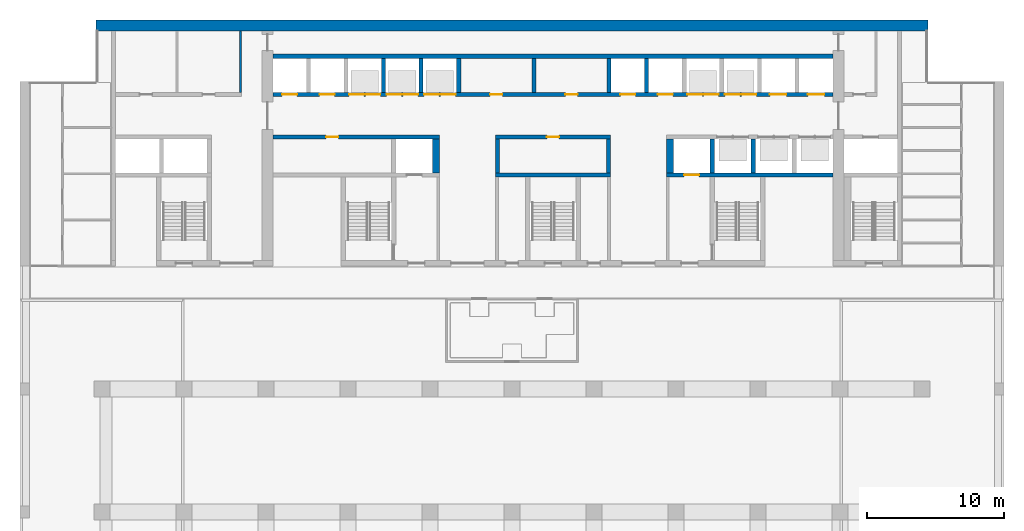
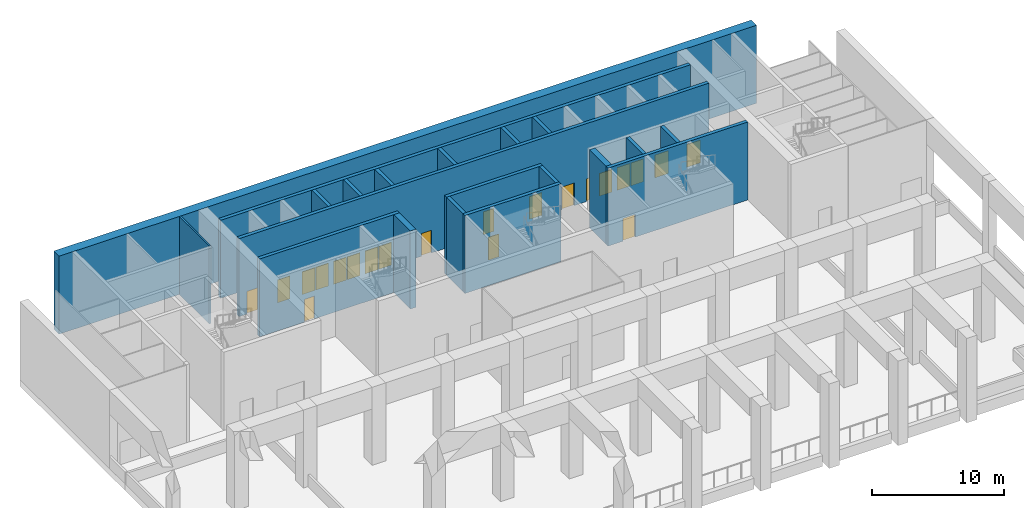
# One storey, part 4 of 10: 21 doors, 20 walls, 21 openings.
"""IFC4 building model written with IfcOpenShell, lengths in metres."""

from ifc_helpers import new_model, si_unit, direction, frame, frame_2d, origin, place, context, subcontext, project, spatial, rectangle, extrude, material, layer, layer_set, type_object, element, fill, save


model = new_model("IFC4")

# Units and contexts
model_context = context("Model", 3, precision=1e-05, world=origin(), true_north=direction((0.0, 1.0)))
body_context = subcontext(model_context, "Body", "Model", "MODEL_VIEW")
ifc_project = project(units=[si_unit("LENGTHUNIT", "METRE"), si_unit("AREAUNIT", "SQUARE_METRE"), si_unit("VOLUMEUNIT", "CUBIC_METRE"), si_unit("PLANEANGLEUNIT", "RADIAN"), si_unit("MASSUNIT", "GRAM", prefix="KILO")], contexts=[model_context])

# Site, building, storey
site_placement = place(None, origin())
site = spatial("IfcSite", under=ifc_project, at=site_placement, CompositionType="ELEMENT")
building_placement = place(site_placement, origin())
building = spatial("IfcBuilding", under=site, at=building_placement, Name="Calvaro Tower", CompositionType="ELEMENT")
storey_placement = place(building_placement, frame((0.0, 0.0, 158.75)))
storey = spatial("IfcBuildingStorey", under=building, at=storey_placement, Name="L40", CompositionType="ELEMENT", Elevation=158.75)

# Walls
ifc_material_1 = material(Name="Blockwork partition", Category="masonry")
ifc_layer_1 = layer(ifc_material_1, 0.14990234375)
ifc_layer_set_1 = layer_set([ifc_layer_1], Name="Blockwork partition")
wall_type_1 = type_object("IfcWallType", Name="Core partition 150 REI 120", PredefinedType="PARTITIONING", material=ifc_layer_set_1)
wall_1_placement = place(storey_placement, frame((16.125, 40.699951171875, 0.0), z_axis=(0.0, 0.0, 1.0), x_axis=(0.0, 1.0, 0.0)))
element("IfcWall", 1, at=wall_1_placement, inside=storey, type_object=wall_type_1, Name="Core partition", PredefinedType="PARTITIONING", context=body_context, shape_type="SweptSolid", body=[
    extrude(rectangle(XDim=4.5, YDim=0.14990234375, at=frame_2d((2.25, 0.0))), origin(), (0.0, 0.0, 1.0), 7.199951171875),
])
ifc_material_2 = material(Name="Blockwork partition", Category="masonry")
ifc_layer_2 = layer(ifc_material_2, 0.300048828125)
ifc_layer_set_2 = layer_set([ifc_layer_2], Name="Blockwork partition")
wall_type_2 = type_object("IfcWallType", Name="Core partition 300 REI 120", PredefinedType="PARTITIONING", material=ifc_layer_set_2)
wall_2_placement = place(storey_placement, frame((37.60009765625, 40.699951171875, 0.0), z_axis=(0.0, 0.0, 1.0), x_axis=(0.0, 1.0, 0.0)))
element("IfcWall", 2, at=wall_2_placement, inside=storey, type_object=wall_type_2, Name="Core partition", PredefinedType="PARTITIONING", context=body_context, shape_type="SweptSolid", body=[
    extrude(rectangle(XDim=2.5, YDim=0.300048828125, at=frame_2d((1.25, 0.0))), origin(), (0.0, 0.0, 1.0), 7.199951171875),
])
ifc_material_3 = material(Name="Concrete C60/75", Category="concrete")
ifc_layer_3 = layer(ifc_material_3, 0.300048828125)
ifc_layer_set_3 = layer_set([ifc_layer_3], Name="Concrete C60/75")
wall_type_3 = type_object("IfcWallType", Name="Core wall C60/75 300", PredefinedType="SHEAR", material=ifc_layer_set_3)
wall_3_placement = place(storey_placement, frame((34.800048828125, 34.64990234375, 0.0), z_axis=(0.0, 0.0, 1.0), x_axis=(1.0, 0.0, 0.0)))
element("IfcWall", 3, at=wall_3_placement, inside=storey, type_object=wall_type_3, Name="Core wall, lift shaft", PredefinedType="SHEAR", context=body_context, shape_type="SweptSolid", body=[
    extrude(rectangle(XDim=8.39990234375, YDim=0.300048828125, at=frame_2d((4.199951171875, 0.0))), origin(), (0.0, 0.0, 1.0), 7.199951171875),
])

# Wall, opening, door
wall_4_placement = place(storey_placement, frame((47.300048828125, 34.64990234375, 0.0), z_axis=(0.0, 0.0, 1.0), x_axis=(1.0, 0.0, 0.0)))
wall_4 = element("IfcWall", 4, at=wall_4_placement, inside=storey, type_object=wall_type_3, Name="Core wall, lift shaft", PredefinedType="SHEAR", context=body_context, shape_type="SweptSolid", body=[
    extrude(rectangle(XDim=12.199951171875, YDim=0.300048828125, at=frame_2d((6.10009765625, 0.0))), origin(), (0.0, 0.0, 1.0), 7.199951171875),
])
opening_1_placement = place(wall_4_placement, frame((1.300048828125, 0.0, 0.0)))
opening_1 = element("IfcOpeningElement", 5, at=opening_1_placement, cuts=wall_4, Name="Opening FF2", PredefinedType="OPENING", context=body_context, shape_type="SweptSolid", body=[
    extrude(rectangle(XDim=1.10009765625, YDim=2.10009765625, at=frame_2d((0.550048828125, 1.050048828125))), frame((0.0, 0.159912109375, 0.0), z_axis=(0.0, -1.0, 0.0), x_axis=(1.0, 0.0, 0.0)), (0.0, 0.0, 1.0), 0.320068359375),
])
ifc_material_4 = material(Name="Stainless steel", Category="steel")
door_type_1 = type_object("IfcDoorType", Name="Landing door 1100 E 60", OperationType="SLIDING_TO_LEFT", PredefinedType="DOOR", material=ifc_material_4)
door_1_placement = place(opening_1_placement, origin())
door_1 = element("IfcDoor", 6, at=door_1_placement, inside=storey, type_object=door_type_1, Name="Landing door FF2", OperationType="SLIDING_TO_LEFT", OverallHeight=2.10009765625, OverallWidth=1.10009765625, PredefinedType="DOOR", context=body_context, shape_type="SweptSolid", body=[
    extrude(rectangle(XDim=1.10009765625, YDim=2.10009765625, at=frame_2d((0.550048828125, 1.050048828125))), frame((0.0, 0.02490234375, 0.0), z_axis=(0.0, -1.0, 0.0), x_axis=(1.0, 0.0, 0.0)), (0.0, 0.0, 1.0), 0.050048828125),
])
fill(opening_1, door_1)

wall_5_placement = place(storey_placement, frame((30.699951171875, 37.449951171875, 0.0), z_axis=(0.0, 0.0, 1.0), x_axis=(-1.0, 0.0, 0.0)))
wall_5 = element("IfcWall", 7, at=wall_5_placement, inside=storey, type_object=wall_type_3, Name="Core wall, bay", PredefinedType="SHEAR", context=body_context, shape_type="SweptSolid", body=[
    extrude(rectangle(XDim=12.199951171875, YDim=0.300048828125, at=frame_2d((6.10009765625, 0.0))), origin(), (0.0, 0.0, 1.0), 7.199951171875),
])
opening_2_placement = place(wall_5_placement, frame((7.39990234375, 0.0, 0.0)))
opening_2 = element("IfcOpeningElement", 8, at=opening_2_placement, cuts=wall_5, Name="Opening RD9E", PredefinedType="OPENING", context=body_context, shape_type="SweptSolid", body=[
    extrude(rectangle(XDim=0.89990234375, YDim=2.10009765625, at=frame_2d((0.449951171875, 1.050048828125))), frame((0.0, 0.159912109375, 0.0), z_axis=(0.0, -1.0, 0.0), x_axis=(1.0, 0.0, 0.0)), (0.0, 0.0, 1.0), 0.320068359375),
])
ifc_material_5 = material(Name="Steel door set", Category="steel")
door_type_2 = type_object("IfcDoorType", Name="Room door 900 FD60", OperationType="SINGLE_SWING_LEFT", PredefinedType="DOOR", material=ifc_material_5)
door_2_placement = place(opening_2_placement, origin())
door_2 = element("IfcDoor", 9, at=door_2_placement, inside=storey, type_object=door_type_2, Name="Room door", OperationType="SINGLE_SWING_LEFT", OverallHeight=2.10009765625, OverallWidth=0.89990234375, PredefinedType="DOOR", context=body_context, shape_type="SweptSolid", body=[
    extrude(rectangle(XDim=0.89990234375, YDim=2.10009765625, at=frame_2d((0.449951171875, 1.050048828125))), frame((0.0, 0.02490234375, 0.0), z_axis=(0.0, -1.0, 0.0), x_axis=(1.0, 0.0, 0.0)), (0.0, 0.0, 1.0), 0.050048828125),
])
fill(opening_2, door_2)

wall_6_placement = place(storey_placement, frame((43.199951171875, 37.449951171875, 0.0), z_axis=(0.0, 0.0, 1.0), x_axis=(-1.0, 0.0, 0.0)))
wall_6 = element("IfcWall", 10, at=wall_6_placement, inside=storey, type_object=wall_type_3, Name="Core wall, bay", PredefinedType="SHEAR", context=body_context, shape_type="SweptSolid", body=[
    extrude(rectangle(XDim=8.39990234375, YDim=0.300048828125, at=frame_2d((4.199951171875, 0.0))), origin(), (0.0, 0.0, 1.0), 7.199951171875),
])
opening_3_placement = place(wall_6_placement, frame((3.75, 0.0, 0.0)))
opening_3 = element("IfcOpeningElement", 11, at=opening_3_placement, cuts=wall_6, Name="Opening RD9E", PredefinedType="OPENING", context=body_context, shape_type="SweptSolid", body=[
    extrude(rectangle(XDim=0.89990234375, YDim=2.10009765625, at=frame_2d((0.449951171875, 1.050048828125))), frame((0.0, 0.159912109375, 0.0), z_axis=(0.0, -1.0, 0.0), x_axis=(1.0, 0.0, 0.0)), (0.0, 0.0, 1.0), 0.320068359375),
])
door_3_placement = place(opening_3_placement, origin())
door_3 = element("IfcDoor", 12, at=door_3_placement, inside=storey, type_object=door_type_2, Name="Room door", OperationType="SINGLE_SWING_RIGHT", OverallHeight=2.10009765625, OverallWidth=0.89990234375, PredefinedType="DOOR", context=body_context, shape_type="SweptSolid", body=[
    extrude(rectangle(XDim=0.89990234375, YDim=2.10009765625, at=frame_2d((0.449951171875, 1.050048828125))), frame((0.0, 0.02490234375, 0.0), z_axis=(0.0, -1.0, 0.0), x_axis=(1.0, 0.0, 0.0)), (0.0, 0.0, 1.0), 0.050048828125),
])
fill(opening_3, door_3)

# Walls
for number, where, z_axis, x_axis, name in (
    (13, (34.949951171875, 34.800048828125, 0.0), (0.0, 0.0, 1.0), (0.0, 1.0, 0.0), "Core wall, lift shaft"),
    (14, (43.050048828125, 34.800048828125, 0.0), (0.0, 0.0, 1.0), (0.0, 1.0, 0.0), "Core wall, lift shaft"),
    (15, (50.64990234375, 34.800048828125, 0.0), (0.0, 0.0, 1.0), (0.0, 1.0, 0.0), "Core wall, lift shaft"),
):
    element("IfcWall", number, at=place(storey_placement, frame(where, z_axis=z_axis, x_axis=x_axis)), inside=storey, type_object=wall_type_3, Name=name, PredefinedType="SHEAR", context=body_context, shape_type="SweptSolid", body=[
        extrude(rectangle(XDim=2.5, YDim=0.300048828125, at=frame_2d((1.25, 0.0))), origin(), (0.0, 0.0, 1.0), 7.199951171875),
    ])

# Wall, openings, doors
wall_7_placement = place(storey_placement, frame((18.5, 40.550048828125, 0.0), z_axis=(0.0, 0.0, 1.0), x_axis=(1.0, 0.0, 0.0)))
wall_7 = element("IfcWall", 16, at=wall_7_placement, inside=storey, type_object=wall_type_3, Name="Core wall, bay", PredefinedType="SHEAR", context=body_context, shape_type="SweptSolid", body=[
    extrude(rectangle(XDim=41.0, YDim=0.300048828125, at=frame_2d((20.5, 0.0))), origin(), (0.0, 0.0, 1.0), 7.199951171875),
])
opening_4_placement = place(wall_7_placement, frame((15.89990234375, 0.0, 0.0)))
opening_4 = element("IfcOpeningElement", 17, at=opening_4_placement, cuts=wall_7, Name="Opening RD9E", PredefinedType="OPENING", context=body_context, shape_type="SweptSolid", body=[
    extrude(rectangle(XDim=0.89990234375, YDim=2.10009765625, at=frame_2d((0.449951171875, 1.050048828125))), frame((0.0, 0.159912109375, 0.0), z_axis=(0.0, -1.0, 0.0), x_axis=(1.0, 0.0, 0.0)), (0.0, 0.0, 1.0), 0.320068359375),
])
opening_5_placement = place(wall_7_placement, frame((21.39990234375, 0.0, 0.0)))
opening_5 = element("IfcOpeningElement", 18, at=opening_5_placement, cuts=wall_7, Name="Opening RD9E", PredefinedType="OPENING", context=body_context, shape_type="SweptSolid", body=[
    extrude(rectangle(XDim=0.89990234375, YDim=2.10009765625, at=frame_2d((0.449951171875, 1.050048828125))), frame((0.0, 0.159912109375, 0.0), z_axis=(0.0, -1.0, 0.0), x_axis=(1.0, 0.0, 0.0)), (0.0, 0.0, 1.0), 0.320068359375),
])
opening_6_placement = place(wall_7_placement, frame((0.675048828125, 0.0, 0.0)))
opening_6 = element("IfcOpeningElement", 19, at=opening_6_placement, cuts=wall_7, Name="Opening SH1", PredefinedType="OPENING", context=body_context, shape_type="SweptSolid", body=[
    extrude(rectangle(XDim=1.10009765625, YDim=2.10009765625, at=frame_2d((0.550048828125, 1.050048828125))), frame((0.0, 0.159912109375, 0.0), z_axis=(0.0, -1.0, 0.0), x_axis=(1.0, 0.0, 0.0)), (0.0, 0.0, 1.0), 0.320068359375),
])
opening_7_placement = place(wall_7_placement, frame((3.425048828125, 0.0, 0.0)))
opening_7 = element("IfcOpeningElement", 20, at=opening_7_placement, cuts=wall_7, Name="Opening SH2", PredefinedType="OPENING", context=body_context, shape_type="SweptSolid", body=[
    extrude(rectangle(XDim=1.10009765625, YDim=2.10009765625, at=frame_2d((0.550048828125, 1.050048828125))), frame((0.0, 0.159912109375, 0.0), z_axis=(0.0, -1.0, 0.0), x_axis=(1.0, 0.0, 0.0)), (0.0, 0.0, 1.0), 0.320068359375),
])
opening_8_placement = place(wall_7_placement, frame((5.574951171875, 0.0, 0.0)))
opening_8 = element("IfcOpeningElement", 21, at=opening_8_placement, cuts=wall_7, Name="Opening MR4", PredefinedType="OPENING", context=body_context, shape_type="SweptSolid", body=[
    extrude(rectangle(XDim=1.10009765625, YDim=2.10009765625, at=frame_2d((0.550048828125, 1.050048828125))), frame((0.0, 0.159912109375, 0.0), z_axis=(0.0, -1.0, 0.0), x_axis=(1.0, 0.0, 0.0)), (0.0, 0.0, 1.0), 0.320068359375),
])
opening_9_placement = place(wall_7_placement, frame((6.77490234375, 0.0, 0.0)))
opening_9 = element("IfcOpeningElement", 22, at=opening_9_placement, cuts=wall_7, Name="Opening HR4", PredefinedType="OPENING", context=body_context, shape_type="SweptSolid", body=[
    extrude(rectangle(XDim=1.10009765625, YDim=2.10009765625, at=frame_2d((0.550048828125, 1.050048828125))), frame((0.0, 0.159912109375, 0.0), z_axis=(0.0, -1.0, 0.0), x_axis=(1.0, 0.0, 0.0)), (0.0, 0.0, 1.0), 0.320068359375),
])
opening_10_placement = place(wall_7_placement, frame((8.324951171875, 0.0, 0.0)))
opening_10 = element("IfcOpeningElement", 23, at=opening_10_placement, cuts=wall_7, Name="Opening MR5", PredefinedType="OPENING", context=body_context, shape_type="SweptSolid", body=[
    extrude(rectangle(XDim=1.10009765625, YDim=2.10009765625, at=frame_2d((0.550048828125, 1.050048828125))), frame((0.0, 0.159912109375, 0.0), z_axis=(0.0, -1.0, 0.0), x_axis=(1.0, 0.0, 0.0)), (0.0, 0.0, 1.0), 0.320068359375),
])
opening_11_placement = place(wall_7_placement, frame((9.52490234375, 0.0, 0.0)))
opening_11 = element("IfcOpeningElement", 24, at=opening_11_placement, cuts=wall_7, Name="Opening HR5", PredefinedType="OPENING", context=body_context, shape_type="SweptSolid", body=[
    extrude(rectangle(XDim=1.10009765625, YDim=2.10009765625, at=frame_2d((0.550048828125, 1.050048828125))), frame((0.0, 0.159912109375, 0.0), z_axis=(0.0, -1.0, 0.0), x_axis=(1.0, 0.0, 0.0)), (0.0, 0.0, 1.0), 0.320068359375),
])
opening_12_placement = place(wall_7_placement, frame((11.074951171875, 0.0, 0.0)))
opening_12 = element("IfcOpeningElement", 25, at=opening_12_placement, cuts=wall_7, Name="Opening MR6", PredefinedType="OPENING", context=body_context, shape_type="SweptSolid", body=[
    extrude(rectangle(XDim=1.10009765625, YDim=2.10009765625, at=frame_2d((0.550048828125, 1.050048828125))), frame((0.0, 0.159912109375, 0.0), z_axis=(0.0, -1.0, 0.0), x_axis=(1.0, 0.0, 0.0)), (0.0, 0.0, 1.0), 0.320068359375),
])
opening_13_placement = place(wall_7_placement, frame((12.27490234375, 0.0, 0.0)))
opening_13 = element("IfcOpeningElement", 26, at=opening_13_placement, cuts=wall_7, Name="Opening HR6", PredefinedType="OPENING", context=body_context, shape_type="SweptSolid", body=[
    extrude(rectangle(XDim=1.10009765625, YDim=2.10009765625, at=frame_2d((0.550048828125, 1.050048828125))), frame((0.0, 0.159912109375, 0.0), z_axis=(0.0, -1.0, 0.0), x_axis=(1.0, 0.0, 0.0)), (0.0, 0.0, 1.0), 0.320068359375),
])
opening_14_placement = place(wall_7_placement, frame((25.425048828125, 0.0, 0.0)))
opening_14 = element("IfcOpeningElement", 27, at=opening_14_placement, cuts=wall_7, Name="Opening SH3", PredefinedType="OPENING", context=body_context, shape_type="SweptSolid", body=[
    extrude(rectangle(XDim=1.10009765625, YDim=2.10009765625, at=frame_2d((0.550048828125, 1.050048828125))), frame((0.0, 0.159912109375, 0.0), z_axis=(0.0, -1.0, 0.0), x_axis=(1.0, 0.0, 0.0)), (0.0, 0.0, 1.0), 0.320068359375),
])
opening_15_placement = place(wall_7_placement, frame((28.175048828125, 0.0, 0.0)))
opening_15 = element("IfcOpeningElement", 28, at=opening_15_placement, cuts=wall_7, Name="Opening SH4", PredefinedType="OPENING", context=body_context, shape_type="SweptSolid", body=[
    extrude(rectangle(XDim=1.10009765625, YDim=2.10009765625, at=frame_2d((0.550048828125, 1.050048828125))), frame((0.0, 0.159912109375, 0.0), z_axis=(0.0, -1.0, 0.0), x_axis=(1.0, 0.0, 0.0)), (0.0, 0.0, 1.0), 0.320068359375),
])
opening_16_placement = place(wall_7_placement, frame((30.324951171875, 0.0, 0.0)))
opening_16 = element("IfcOpeningElement", 29, at=opening_16_placement, cuts=wall_7, Name="Opening MR7", PredefinedType="OPENING", context=body_context, shape_type="SweptSolid", body=[
    extrude(rectangle(XDim=1.10009765625, YDim=2.10009765625, at=frame_2d((0.550048828125, 1.050048828125))), frame((0.0, 0.159912109375, 0.0), z_axis=(0.0, -1.0, 0.0), x_axis=(1.0, 0.0, 0.0)), (0.0, 0.0, 1.0), 0.320068359375),
])
opening_17_placement = place(wall_7_placement, frame((31.52490234375, 0.0, 0.0)))
opening_17 = element("IfcOpeningElement", 30, at=opening_17_placement, cuts=wall_7, Name="Opening HR7", PredefinedType="OPENING", context=body_context, shape_type="SweptSolid", body=[
    extrude(rectangle(XDim=1.10009765625, YDim=2.10009765625, at=frame_2d((0.550048828125, 1.050048828125))), frame((0.0, 0.159912109375, 0.0), z_axis=(0.0, -1.0, 0.0), x_axis=(1.0, 0.0, 0.0)), (0.0, 0.0, 1.0), 0.320068359375),
])
opening_18_placement = place(wall_7_placement, frame((33.074951171875, 0.0, 0.0)))
opening_18 = element("IfcOpeningElement", 31, at=opening_18_placement, cuts=wall_7, Name="Opening MR8", PredefinedType="OPENING", context=body_context, shape_type="SweptSolid", body=[
    extrude(rectangle(XDim=1.10009765625, YDim=2.10009765625, at=frame_2d((0.550048828125, 1.050048828125))), frame((0.0, 0.159912109375, 0.0), z_axis=(0.0, -1.0, 0.0), x_axis=(1.0, 0.0, 0.0)), (0.0, 0.0, 1.0), 0.320068359375),
])
opening_19_placement = place(wall_7_placement, frame((34.27490234375, 0.0, 0.0)))
opening_19 = element("IfcOpeningElement", 32, at=opening_19_placement, cuts=wall_7, Name="Opening HR8", PredefinedType="OPENING", context=body_context, shape_type="SweptSolid", body=[
    extrude(rectangle(XDim=1.10009765625, YDim=2.10009765625, at=frame_2d((0.550048828125, 1.050048828125))), frame((0.0, 0.159912109375, 0.0), z_axis=(0.0, -1.0, 0.0), x_axis=(1.0, 0.0, 0.0)), (0.0, 0.0, 1.0), 0.320068359375),
])
opening_20_placement = place(wall_7_placement, frame((36.375, 0.0, 0.0)))
opening_20 = element("IfcOpeningElement", 33, at=opening_20_placement, cuts=wall_7, Name="Opening SV1", PredefinedType="OPENING", context=body_context, shape_type="SweptSolid", body=[
    extrude(rectangle(XDim=1.199951171875, YDim=2.10009765625, at=frame_2d((0.60009765625, 1.050048828125))), frame((0.0, 0.159912109375, 0.0), z_axis=(0.0, -1.0, 0.0), x_axis=(1.0, 0.0, 0.0)), (0.0, 0.0, 1.0), 0.320068359375),
])
opening_21_placement = place(wall_7_placement, frame((39.14990234375, 0.0, 0.0)))
opening_21 = element("IfcOpeningElement", 34, at=opening_21_placement, cuts=wall_7, Name="Opening SV2", PredefinedType="OPENING", context=body_context, shape_type="SweptSolid", body=[
    extrude(rectangle(XDim=1.199951171875, YDim=2.10009765625, at=frame_2d((0.60009765625, 1.050048828125))), frame((0.0, 0.159912109375, 0.0), z_axis=(0.0, -1.0, 0.0), x_axis=(1.0, 0.0, 0.0)), (0.0, 0.0, 1.0), 0.320068359375),
])
door_4_placement = place(opening_6_placement, origin())
door_4 = element("IfcDoor", 35, at=door_4_placement, inside=storey, type_object=door_type_1, Name="Landing door SH1", OperationType="SLIDING_TO_LEFT", OverallHeight=2.10009765625, OverallWidth=1.10009765625, PredefinedType="DOOR", context=body_context, shape_type="SweptSolid", body=[
    extrude(rectangle(XDim=1.10009765625, YDim=2.10009765625, at=frame_2d((0.550048828125, 1.050048828125))), frame((0.0, 0.02490234375, 0.0), z_axis=(0.0, -1.0, 0.0), x_axis=(1.0, 0.0, 0.0)), (0.0, 0.0, 1.0), 0.050048828125),
])
fill(opening_6, door_4)
door_5_placement = place(opening_7_placement, origin())
door_5 = element("IfcDoor", 36, at=door_5_placement, inside=storey, type_object=door_type_1, Name="Landing door SH2", OperationType="SLIDING_TO_LEFT", OverallHeight=2.10009765625, OverallWidth=1.10009765625, PredefinedType="DOOR", context=body_context, shape_type="SweptSolid", body=[
    extrude(rectangle(XDim=1.10009765625, YDim=2.10009765625, at=frame_2d((0.550048828125, 1.050048828125))), frame((0.0, 0.02490234375, 0.0), z_axis=(0.0, -1.0, 0.0), x_axis=(1.0, 0.0, 0.0)), (0.0, 0.0, 1.0), 0.050048828125),
])
fill(opening_7, door_5)
door_6_placement = place(opening_8_placement, origin())
door_6 = element("IfcDoor", 37, at=door_6_placement, inside=storey, type_object=door_type_1, Name="Landing door MR4", OperationType="SLIDING_TO_LEFT", OverallHeight=2.10009765625, OverallWidth=1.10009765625, PredefinedType="DOOR", context=body_context, shape_type="SweptSolid", body=[
    extrude(rectangle(XDim=1.10009765625, YDim=2.10009765625, at=frame_2d((0.550048828125, 1.050048828125))), frame((0.0, 0.02490234375, 0.0), z_axis=(0.0, -1.0, 0.0), x_axis=(1.0, 0.0, 0.0)), (0.0, 0.0, 1.0), 0.050048828125),
])
fill(opening_8, door_6)
door_7_placement = place(opening_9_placement, origin())
door_7 = element("IfcDoor", 38, at=door_7_placement, inside=storey, type_object=door_type_1, Name="Landing door HR4", OperationType="SLIDING_TO_LEFT", OverallHeight=2.10009765625, OverallWidth=1.10009765625, PredefinedType="DOOR", context=body_context, shape_type="SweptSolid", body=[
    extrude(rectangle(XDim=1.10009765625, YDim=2.10009765625, at=frame_2d((0.550048828125, 1.050048828125))), frame((0.0, 0.02490234375, 0.0), z_axis=(0.0, -1.0, 0.0), x_axis=(1.0, 0.0, 0.0)), (0.0, 0.0, 1.0), 0.050048828125),
])
fill(opening_9, door_7)
door_8_placement = place(opening_10_placement, origin())
door_8 = element("IfcDoor", 39, at=door_8_placement, inside=storey, type_object=door_type_1, Name="Landing door MR5", OperationType="SLIDING_TO_LEFT", OverallHeight=2.10009765625, OverallWidth=1.10009765625, PredefinedType="DOOR", context=body_context, shape_type="SweptSolid", body=[
    extrude(rectangle(XDim=1.10009765625, YDim=2.10009765625, at=frame_2d((0.550048828125, 1.050048828125))), frame((0.0, 0.02490234375, 0.0), z_axis=(0.0, -1.0, 0.0), x_axis=(1.0, 0.0, 0.0)), (0.0, 0.0, 1.0), 0.050048828125),
])
fill(opening_10, door_8)
door_9_placement = place(opening_11_placement, origin())
door_9 = element("IfcDoor", 40, at=door_9_placement, inside=storey, type_object=door_type_1, Name="Landing door HR5", OperationType="SLIDING_TO_LEFT", OverallHeight=2.10009765625, OverallWidth=1.10009765625, PredefinedType="DOOR", context=body_context, shape_type="SweptSolid", body=[
    extrude(rectangle(XDim=1.10009765625, YDim=2.10009765625, at=frame_2d((0.550048828125, 1.050048828125))), frame((0.0, 0.02490234375, 0.0), z_axis=(0.0, -1.0, 0.0), x_axis=(1.0, 0.0, 0.0)), (0.0, 0.0, 1.0), 0.050048828125),
])
fill(opening_11, door_9)
door_10_placement = place(opening_12_placement, origin())
door_10 = element("IfcDoor", 41, at=door_10_placement, inside=storey, type_object=door_type_1, Name="Landing door MR6", OperationType="SLIDING_TO_LEFT", OverallHeight=2.10009765625, OverallWidth=1.10009765625, PredefinedType="DOOR", context=body_context, shape_type="SweptSolid", body=[
    extrude(rectangle(XDim=1.10009765625, YDim=2.10009765625, at=frame_2d((0.550048828125, 1.050048828125))), frame((0.0, 0.02490234375, 0.0), z_axis=(0.0, -1.0, 0.0), x_axis=(1.0, 0.0, 0.0)), (0.0, 0.0, 1.0), 0.050048828125),
])
fill(opening_12, door_10)
door_11_placement = place(opening_13_placement, origin())
door_11 = element("IfcDoor", 42, at=door_11_placement, inside=storey, type_object=door_type_1, Name="Landing door HR6", OperationType="SLIDING_TO_LEFT", OverallHeight=2.10009765625, OverallWidth=1.10009765625, PredefinedType="DOOR", context=body_context, shape_type="SweptSolid", body=[
    extrude(rectangle(XDim=1.10009765625, YDim=2.10009765625, at=frame_2d((0.550048828125, 1.050048828125))), frame((0.0, 0.02490234375, 0.0), z_axis=(0.0, -1.0, 0.0), x_axis=(1.0, 0.0, 0.0)), (0.0, 0.0, 1.0), 0.050048828125),
])
fill(opening_13, door_11)
door_12_placement = place(opening_14_placement, origin())
door_12 = element("IfcDoor", 43, at=door_12_placement, inside=storey, type_object=door_type_1, Name="Landing door SH3", OperationType="SLIDING_TO_LEFT", OverallHeight=2.10009765625, OverallWidth=1.10009765625, PredefinedType="DOOR", context=body_context, shape_type="SweptSolid", body=[
    extrude(rectangle(XDim=1.10009765625, YDim=2.10009765625, at=frame_2d((0.550048828125, 1.050048828125))), frame((0.0, 0.02490234375, 0.0), z_axis=(0.0, -1.0, 0.0), x_axis=(1.0, 0.0, 0.0)), (0.0, 0.0, 1.0), 0.050048828125),
])
fill(opening_14, door_12)
door_13_placement = place(opening_15_placement, origin())
door_13 = element("IfcDoor", 44, at=door_13_placement, inside=storey, type_object=door_type_1, Name="Landing door SH4", OperationType="SLIDING_TO_LEFT", OverallHeight=2.10009765625, OverallWidth=1.10009765625, PredefinedType="DOOR", context=body_context, shape_type="SweptSolid", body=[
    extrude(rectangle(XDim=1.10009765625, YDim=2.10009765625, at=frame_2d((0.550048828125, 1.050048828125))), frame((0.0, 0.02490234375, 0.0), z_axis=(0.0, -1.0, 0.0), x_axis=(1.0, 0.0, 0.0)), (0.0, 0.0, 1.0), 0.050048828125),
])
fill(opening_15, door_13)
door_14_placement = place(opening_16_placement, origin())
door_14 = element("IfcDoor", 45, at=door_14_placement, inside=storey, type_object=door_type_1, Name="Landing door MR7", OperationType="SLIDING_TO_LEFT", OverallHeight=2.10009765625, OverallWidth=1.10009765625, PredefinedType="DOOR", context=body_context, shape_type="SweptSolid", body=[
    extrude(rectangle(XDim=1.10009765625, YDim=2.10009765625, at=frame_2d((0.550048828125, 1.050048828125))), frame((0.0, 0.02490234375, 0.0), z_axis=(0.0, -1.0, 0.0), x_axis=(1.0, 0.0, 0.0)), (0.0, 0.0, 1.0), 0.050048828125),
])
fill(opening_16, door_14)
door_15_placement = place(opening_17_placement, origin())
door_15 = element("IfcDoor", 46, at=door_15_placement, inside=storey, type_object=door_type_1, Name="Landing door HR7", OperationType="SLIDING_TO_LEFT", OverallHeight=2.10009765625, OverallWidth=1.10009765625, PredefinedType="DOOR", context=body_context, shape_type="SweptSolid", body=[
    extrude(rectangle(XDim=1.10009765625, YDim=2.10009765625, at=frame_2d((0.550048828125, 1.050048828125))), frame((0.0, 0.02490234375, 0.0), z_axis=(0.0, -1.0, 0.0), x_axis=(1.0, 0.0, 0.0)), (0.0, 0.0, 1.0), 0.050048828125),
])
fill(opening_17, door_15)
door_16_placement = place(opening_18_placement, origin())
door_16 = element("IfcDoor", 47, at=door_16_placement, inside=storey, type_object=door_type_1, Name="Landing door MR8", OperationType="SLIDING_TO_LEFT", OverallHeight=2.10009765625, OverallWidth=1.10009765625, PredefinedType="DOOR", context=body_context, shape_type="SweptSolid", body=[
    extrude(rectangle(XDim=1.10009765625, YDim=2.10009765625, at=frame_2d((0.550048828125, 1.050048828125))), frame((0.0, 0.02490234375, 0.0), z_axis=(0.0, -1.0, 0.0), x_axis=(1.0, 0.0, 0.0)), (0.0, 0.0, 1.0), 0.050048828125),
])
fill(opening_18, door_16)
door_17_placement = place(opening_19_placement, origin())
door_17 = element("IfcDoor", 48, at=door_17_placement, inside=storey, type_object=door_type_1, Name="Landing door HR8", OperationType="SLIDING_TO_LEFT", OverallHeight=2.10009765625, OverallWidth=1.10009765625, PredefinedType="DOOR", context=body_context, shape_type="SweptSolid", body=[
    extrude(rectangle(XDim=1.10009765625, YDim=2.10009765625, at=frame_2d((0.550048828125, 1.050048828125))), frame((0.0, 0.02490234375, 0.0), z_axis=(0.0, -1.0, 0.0), x_axis=(1.0, 0.0, 0.0)), (0.0, 0.0, 1.0), 0.050048828125),
])
fill(opening_19, door_17)
ifc_material_6 = material(Name="Stainless steel", Category="steel")
door_type_3 = type_object("IfcDoorType", Name="Landing door 1200 E 60", OperationType="SLIDING_TO_LEFT", PredefinedType="DOOR", material=ifc_material_6)
door_18_placement = place(opening_20_placement, origin())
door_18 = element("IfcDoor", 49, at=door_18_placement, inside=storey, type_object=door_type_3, Name="Landing door SV1", OperationType="SLIDING_TO_LEFT", OverallHeight=2.10009765625, OverallWidth=1.199951171875, PredefinedType="DOOR", context=body_context, shape_type="SweptSolid", body=[
    extrude(rectangle(XDim=1.199951171875, YDim=2.10009765625, at=frame_2d((0.60009765625, 1.050048828125))), frame((0.0, 0.02490234375, 0.0), z_axis=(0.0, -1.0, 0.0), x_axis=(1.0, 0.0, 0.0)), (0.0, 0.0, 1.0), 0.050048828125),
])
fill(opening_20, door_18)
door_19_placement = place(opening_21_placement, origin())
door_19 = element("IfcDoor", 50, at=door_19_placement, inside=storey, type_object=door_type_3, Name="Landing door SV2", OperationType="SLIDING_TO_LEFT", OverallHeight=2.10009765625, OverallWidth=1.199951171875, PredefinedType="DOOR", context=body_context, shape_type="SweptSolid", body=[
    extrude(rectangle(XDim=1.199951171875, YDim=2.10009765625, at=frame_2d((0.60009765625, 1.050048828125))), frame((0.0, 0.02490234375, 0.0), z_axis=(0.0, -1.0, 0.0), x_axis=(1.0, 0.0, 0.0)), (0.0, 0.0, 1.0), 0.050048828125),
])
fill(opening_21, door_19)
door_20_placement = place(opening_4_placement, origin())
door_20 = element("IfcDoor", 51, at=door_20_placement, inside=storey, type_object=door_type_2, Name="Room door", OperationType="SINGLE_SWING_LEFT", OverallHeight=2.10009765625, OverallWidth=0.89990234375, PredefinedType="DOOR", context=body_context, shape_type="SweptSolid", body=[
    extrude(rectangle(XDim=0.89990234375, YDim=2.10009765625, at=frame_2d((0.449951171875, 1.050048828125))), frame((0.0, 0.02490234375, 0.0), z_axis=(0.0, -1.0, 0.0), x_axis=(1.0, 0.0, 0.0)), (0.0, 0.0, 1.0), 0.050048828125),
])
fill(opening_4, door_20)
door_21_placement = place(opening_5_placement, origin())
door_21 = element("IfcDoor", 52, at=door_21_placement, inside=storey, type_object=door_type_2, Name="Room door", OperationType="SINGLE_SWING_LEFT", OverallHeight=2.10009765625, OverallWidth=0.89990234375, PredefinedType="DOOR", context=body_context, shape_type="SweptSolid", body=[
    extrude(rectangle(XDim=0.89990234375, YDim=2.10009765625, at=frame_2d((0.449951171875, 1.050048828125))), frame((0.0, 0.02490234375, 0.0), z_axis=(0.0, -1.0, 0.0), x_axis=(1.0, 0.0, 0.0)), (0.0, 0.0, 1.0), 0.050048828125),
])
fill(opening_5, door_21)

# Walls
wall_8_placement = place(storey_placement, frame((18.5, 43.35009765625, 0.0), z_axis=(0.0, 0.0, 1.0), x_axis=(1.0, 0.0, 0.0)))
element("IfcWall", 53, at=wall_8_placement, inside=storey, type_object=wall_type_3, Name="Core wall, lift shaft", PredefinedType="SHEAR", context=body_context, shape_type="SweptSolid", body=[
    extrude(rectangle(XDim=41.0, YDim=0.300048828125, at=frame_2d((20.5, 0.0))), origin(), (0.0, 0.0, 1.0), 7.199951171875),
])
for number, where, z_axis, x_axis, name in (
    (54, (53.64990234375, 34.800048828125, 0.0), (0.0, 0.0, 1.0), (0.0, 1.0, 0.0), "Core wall, lift shaft"),
    (55, (26.60009765625, 40.699951171875, 0.0), (0.0, 0.0, 1.0), (0.0, 1.0, 0.0), "Core wall, lift shaft"),
    (56, (29.35009765625, 40.699951171875, 0.0), (0.0, 0.0, 1.0), (0.0, 1.0, 0.0), "Core wall, lift shaft"),
    (57, (32.10009765625, 40.699951171875, 0.0), (0.0, 0.0, 1.0), (0.0, 1.0, 0.0), "Core wall, lift shaft"),
    (58, (43.10009765625, 40.699951171875, 0.0), (0.0, 0.0, 1.0), (0.0, 1.0, 0.0), "Core wall, lift shaft"),
    (59, (45.85009765625, 40.699951171875, 0.0), (0.0, 0.0, 1.0), (0.0, 1.0, 0.0), "Core wall, lift shaft"),
):
    element("IfcWall", number, at=place(storey_placement, frame(where, z_axis=z_axis, x_axis=x_axis)), inside=storey, type_object=wall_type_3, Name=name, PredefinedType="SHEAR", context=body_context, shape_type="SweptSolid", body=[
        extrude(rectangle(XDim=2.5, YDim=0.300048828125, at=frame_2d((1.25, 0.0))), origin(), (0.0, 0.0, 1.0), 7.199951171875),
    ])
ifc_material_7 = material(Name="Concrete C60/75", Category="concrete")
ifc_layer_4 = layer(ifc_material_7, 0.5)
ifc_layer_set_4 = layer_set([ifc_layer_4], Name="Concrete C60/75")
wall_type_4 = type_object("IfcWallType", Name="Core wall C60/75 500", PredefinedType="SHEAR", material=ifc_layer_set_4)
for number, where, z_axis, x_axis, name in (
    (60, (30.449951171875, 34.800048828125, 0.0), (0.0, 0.0, 1.0), (0.0, 1.0, 0.0), "Core wall, lift shaft"),
    (61, (47.550048828125, 34.800048828125, 0.0), (0.0, 0.0, 1.0), (0.0, 1.0, 0.0), "Core wall, lift shaft"),
):
    element("IfcWall", number, at=place(storey_placement, frame(where, z_axis=z_axis, x_axis=x_axis)), inside=storey, type_object=wall_type_4, Name=name, PredefinedType="SHEAR", context=body_context, shape_type="SweptSolid", body=[
        extrude(rectangle(XDim=2.5, YDim=0.5, at=frame_2d((1.25, 0.0))), origin(), (0.0, 0.0, 1.0), 7.199951171875),
    ])
ifc_material_8 = material(Name="Concrete C60/75", Category="concrete")
ifc_layer_5 = layer(ifc_material_8, 0.800048828125)
ifc_layer_set_5 = layer_set([ifc_layer_5], Name="Concrete C60/75")
wall_type_5 = type_object("IfcWallType", Name="Rear core wall 800 C60/75", PredefinedType="SHEAR", material=ifc_layer_set_5)
wall_9_placement = place(storey_placement, frame((5.550048828125, 45.60009765625, 0.0), z_axis=(0.0, 0.0, 1.0), x_axis=(1.0, 0.0, 0.0)))
element("IfcWall", 62, at=wall_9_placement, inside=storey, type_object=wall_type_5, Name="North core wall", PredefinedType="SHEAR", context=body_context, shape_type="SweptSolid", body=[
    extrude(rectangle(XDim=60.89990234375, YDim=0.800048828125, at=frame_2d((30.449951171875, 0.0))), origin(), (0.0, 0.0, 1.0), 7.199951171875),
])

save(model, "model.ifc")
